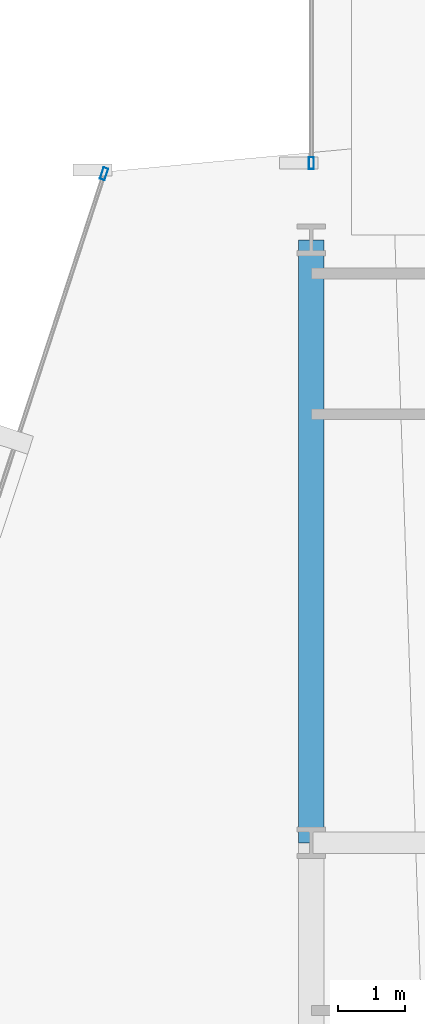
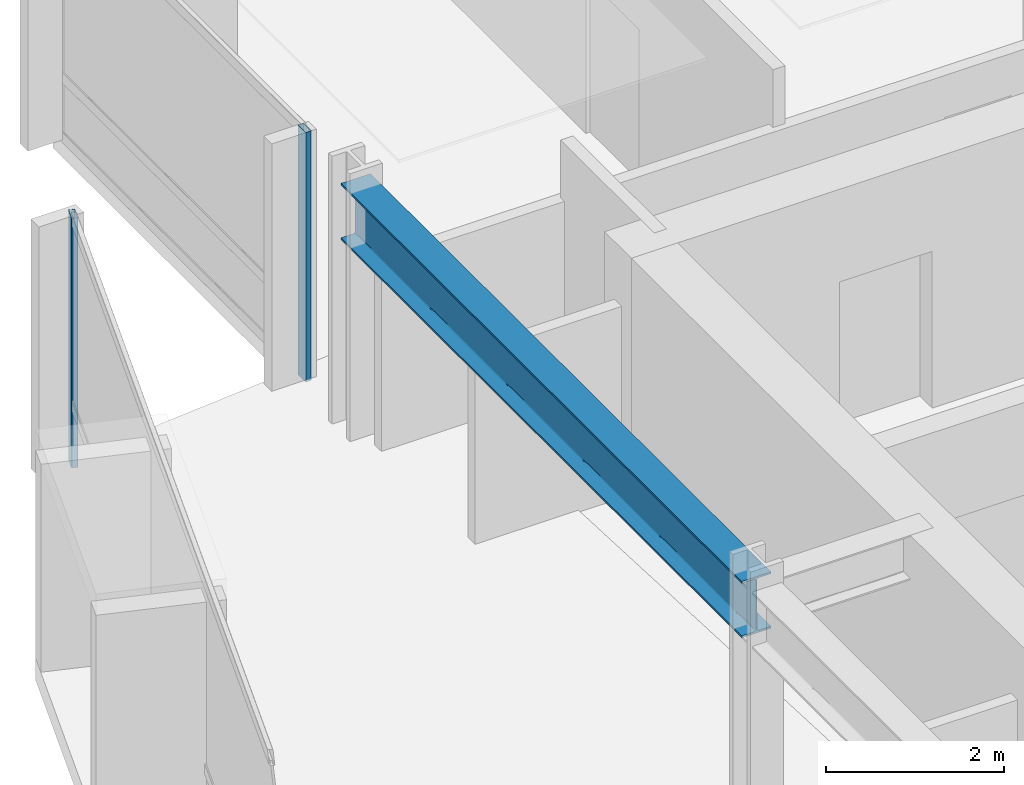
# One storey, part 19 of 34: 2 members, 1 beam, 2 elements without a shape of their own.
"""IFC4 building model written with IfcOpenShell, lengths in metres."""

from ifc_helpers import new_model, si_unit, direction, frame, origin, origin_2d, place, context, subcontext, project, spatial, hollow_rectangle, i_section, extrude, material, layer, layer_set, material_profile, profile_set, type_object, element, aggregate, save


model = new_model("IFC4")

# Units and contexts
model_context = context("Model", 3, precision=1e-05, world=origin(), true_north=direction((0.0, 1.0)))
body_context = subcontext(model_context, "Body", "Model", "MODEL_VIEW")
ifc_project = project(units=[si_unit("LENGTHUNIT", "METRE"), si_unit("AREAUNIT", "SQUARE_METRE"), si_unit("VOLUMEUNIT", "CUBIC_METRE"), si_unit("PLANEANGLEUNIT", "RADIAN"), si_unit("MASSUNIT", "GRAM", prefix="KILO")], contexts=[model_context])

# Site, building, storey
site_placement = place(None, origin())
site = spatial("IfcSite", under=ifc_project, at=site_placement, CompositionType="ELEMENT")
building_placement = place(site_placement, origin())
building = spatial("IfcBuilding", under=site, at=building_placement, Name="Solvaryn Broadcast Tower", CompositionType="ELEMENT")
storey_placement = place(building_placement, frame((0.0, 0.0, 73.0)))
storey = spatial("IfcBuildingStorey", under=building, at=storey_placement, Name="L17", CompositionType="ELEMENT", Elevation=73.0)

# Beam
ifc_material_1 = material(Name="Steel ASTM A992 Grade 50", Category="steel")
ifc_material_profile_1 = material_profile(ifc_material_1, i_section(OverallWidth=0.381103515625, OverallDepth=0.77294921875, WebThickness=0.0166015625, FlangeThickness=0.027099609375, FilletRadius=0.01806640625, at=origin_2d()))
ifc_profile_set_1 = profile_set([ifc_material_profile_1], Name="Steel ASTM A992 Grade 50")
beam_type = type_object("IfcBeamType", Name="BM-SP1-W30X173", PredefinedType="USERDEFINED", material=ifc_profile_set_1)
beam_placement = place(storey_placement, frame((9.0, 36.0, 3.033447265625), z_axis=(0.0, 1.0, 0.0), x_axis=(-1.0, 0.0, 0.0)))
element("IfcBeam", 1, at=beam_placement, inside=storey, type_object=beam_type, Name="L17 Spandrel Beam Y (36-45 @ X=9)", ObjectType="SPANDREL", PredefinedType="USERDEFINED", context=body_context, shape_type="SweptSolid", body=[
    extrude(i_section(OverallWidth=0.381103515625, OverallDepth=0.77294921875, WebThickness=0.0166015625, FlangeThickness=0.027099609375, FilletRadius=0.01806640625, at=origin_2d()), origin(), (0.0, 0.0, 1.0), 9.0),
])

# Curtain wall, member
ifc_material_2 = material(Name="Aluminium and Terracotta Unitised Curtain Wall", Category="masonry")
ifc_layer = layer(ifc_material_2, 0.199951171875)
ifc_layer_set = layer_set([ifc_layer], Name="CW-SYS2-LOWMID")
curtain_wall_type = type_object("IfcCurtainWallType", Name="CW-SYS2-LOWMID", PredefinedType="NOTDEFINED", material=ifc_layer_set)
curtain_wall_1_placement = place(storey_placement, origin())
curtain_wall_1 = element("IfcCurtainWall", 2, at=curtain_wall_1_placement, inside=storey, type_object=curtain_wall_type, Name="L17 Curtain Wall DR1", PredefinedType="NOTDEFINED")
ifc_material_3 = material(Name="Anodised Aluminium 6063-T6", Category="aluminium")
ifc_material_profile_2 = material_profile(ifc_material_3, hollow_rectangle(XDim=0.074951171875, YDim=0.179931640625, WallThickness=0.00390625, InnerFilletRadius=0.00390625, OuterFilletRadius=0.008056640625, at=origin_2d()))
ifc_profile_set_2 = profile_set([ifc_material_profile_2], Name="Anodised Aluminium 6063-T6")
member_type = type_object("IfcMemberType", Name="CW-MUL-180", PredefinedType="MULLION", material=ifc_profile_set_2)
member_1_placement = place(storey_placement, frame((5.90673828125, 45.987548828125, 0.0), z_axis=(0.0, 0.0, 1.0), x_axis=(0.950215318429, -0.311594044587, 0.0)))
member_1 = element("IfcMember", 3, at=member_1_placement, type_object=member_type, Name="CWS2 mullion 1", PredefinedType="MULLION", context=body_context, shape_type="SweptSolid", body=[
    extrude(hollow_rectangle(XDim=0.074951171875, YDim=0.179931640625, WallThickness=0.00390625, InnerFilletRadius=0.00390625, OuterFilletRadius=0.008056640625, at=origin_2d()), origin(), (0.0, 0.0, 1.0), 3.419921875),
])
aggregate(curtain_wall_1, [member_1])

curtain_wall_2_placement = place(storey_placement, origin())
curtain_wall_2 = element("IfcCurtainWall", 4, at=curtain_wall_2_placement, inside=storey, type_object=curtain_wall_type, Name="L17 Curtain Wall W2", PredefinedType="NOTDEFINED")
member_2_placement = place(storey_placement, frame((9.0, 46.14599609375, 0.0), z_axis=(0.0, 0.0, 1.0), x_axis=(-1.0, 0.0, 0.0)))
member_2 = element("IfcMember", 5, at=member_2_placement, type_object=member_type, Name="CWS2 mullion 1", PredefinedType="MULLION", context=body_context, shape_type="SweptSolid", body=[
    extrude(hollow_rectangle(XDim=0.074951171875, YDim=0.179931640625, WallThickness=0.00390625, InnerFilletRadius=0.00390625, OuterFilletRadius=0.008056640625, at=origin_2d()), origin(), (0.0, 0.0, 1.0), 3.419921875),
])
aggregate(curtain_wall_2, [member_2])

save(model, "model.ifc")
